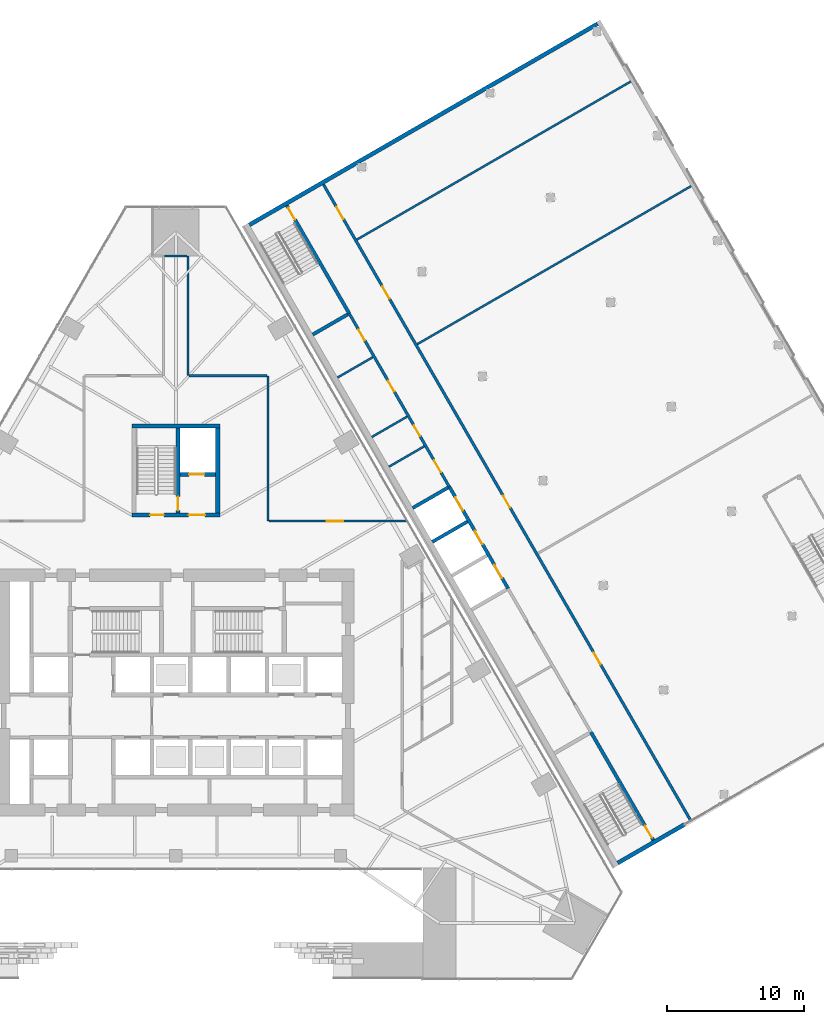
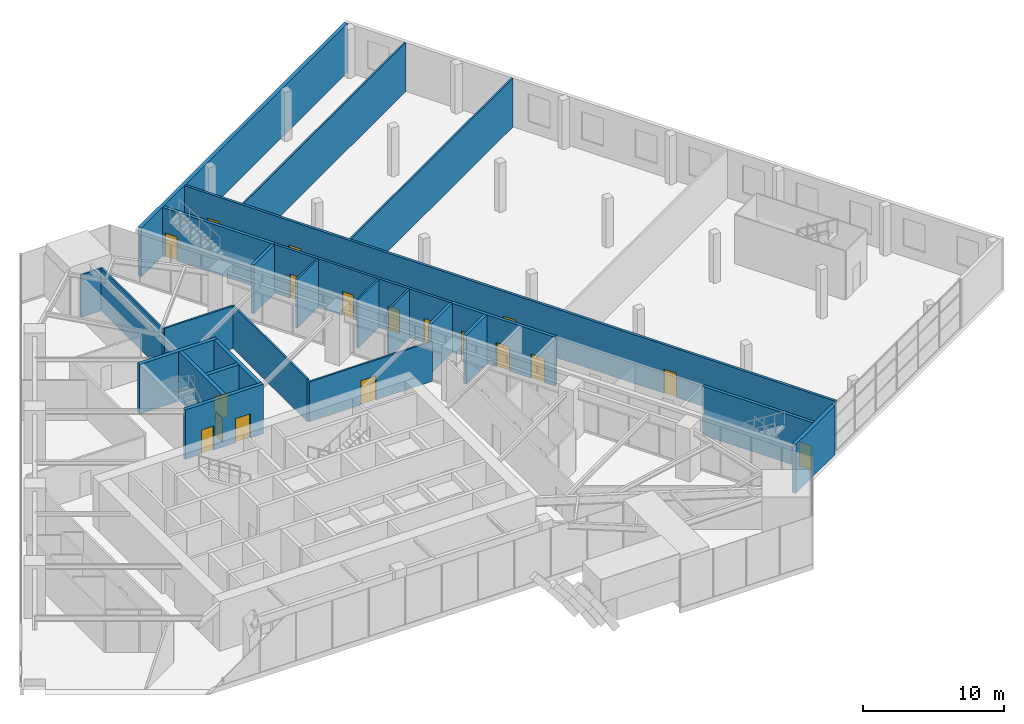
# One storey, part 20 of 29: 25 walls, 18 doors, 18 openings.
"""IFC4 building model written with IfcOpenShell, lengths in metres."""

from ifc_helpers import new_model, si_unit, direction, frame, frame_2d, origin, place, context, subcontext, project, spatial, rectangle, extrude, material, layer, layer_set, type_object, element, fill, save


model = new_model("IFC4")

# Units and contexts
model_context = context("Model", 3, precision=1e-05, world=origin(), true_north=direction((0.0, 1.0)))
body_context = subcontext(model_context, "Body", "Model", "MODEL_VIEW")
ifc_project = project(units=[si_unit("LENGTHUNIT", "METRE"), si_unit("AREAUNIT", "SQUARE_METRE"), si_unit("VOLUMEUNIT", "CUBIC_METRE"), si_unit("PLANEANGLEUNIT", "RADIAN"), si_unit("MASSUNIT", "GRAM", prefix="KILO")], contexts=[model_context])

# Site, building, storey
site_placement = place(None, origin())
site = spatial("IfcSite", under=ifc_project, at=site_placement, CompositionType="ELEMENT")
building_placement = place(site_placement, origin())
building = spatial("IfcBuilding", under=site, at=building_placement, Name="Firuza Gate Tower and Library", CompositionType="ELEMENT")
storey_placement = place(building_placement, frame((0.0, 0.0, 17.199951171875)))
storey = spatial("IfcBuildingStorey", under=building, at=storey_placement, Name="L03", CompositionType="ELEMENT", Elevation=17.199951171875)

# Wall, openings, doors
ifc_material_1 = material(Name="Concrete C80/95", Category="concrete")
ifc_layer_1 = layer(ifc_material_1, 0.300048828125)
ifc_layer_set_1 = layer_set([ifc_layer_1], Name="Core wall 300 C80/95")
wall_type_1 = type_object("IfcWallType", Name="Core wall 300 C80/95", PredefinedType="SHEAR", material=ifc_layer_set_1)
wall_1_placement = place(storey_placement, frame((71.800048828125, 87.949951171875, 0.0), z_axis=(0.0, 0.0, 1.0), x_axis=(1.0, 0.0, 0.0)))
wall_1 = element("IfcWall", 1, at=wall_1_placement, inside=storey, type_object=wall_type_1, Name="Core wall L03 34", PredefinedType="SHEAR", context=body_context, shape_type="SweptSolid", body=[
    extrude(rectangle(XDim=6.39990234375, YDim=0.300048828125, at=frame_2d((3.199951171875, 0.0))), origin(), (0.0, 0.0, 1.0), 4.300048828125),
])
opening_1_placement = place(wall_1_placement, frame((1.324951171875, 0.0, 0.0)))
opening_1 = element("IfcOpeningElement", 2, at=opening_1_placement, cuts=wall_1, Name="Opening L03-K17", PredefinedType="OPENING", context=body_context, shape_type="SweptSolid", body=[
    extrude(rectangle(XDim=1.0, YDim=2.10009765625, at=frame_2d((0.5, 1.050048828125))), frame((0.0, 0.16015625, 0.0), z_axis=(0.0, -1.0, 0.0), x_axis=(1.0, 0.0, 0.0)), (0.0, 0.0, 1.0), 0.320068359375),
])
opening_2_placement = place(wall_1_placement, frame((4.125, 0.0, 0.0)))
opening_2 = element("IfcOpeningElement", 3, at=opening_2_placement, cuts=wall_1, Name="Opening L03-K19", PredefinedType="OPENING", context=body_context, shape_type="SweptSolid", body=[
    extrude(rectangle(XDim=1.199951171875, YDim=2.10009765625, at=frame_2d((0.60009765625, 1.050048828125))), frame((0.0, 0.16015625, 0.0), z_axis=(0.0, -1.0, 0.0), x_axis=(1.0, 0.0, 0.0)), (0.0, 0.0, 1.0), 0.320068359375),
])
ifc_material_2 = material(Name="Steel", Category="steel")
door_type_1 = type_object("IfcDoorType", Name="Fire door 1000x2100 FD90", OperationType="NOTDEFINED", PredefinedType="DOOR", material=ifc_material_2)
door_1_placement = place(opening_1_placement, origin())
door_1 = element("IfcDoor", 4, at=door_1_placement, inside=storey, type_object=door_type_1, Name="Door L03-K17", OperationType="SINGLE_SWING_RIGHT", OverallHeight=2.10009765625, OverallWidth=1.0, PredefinedType="DOOR", context=body_context, shape_type="SweptSolid", body=[
    extrude(rectangle(XDim=1.0, YDim=2.10009765625, at=frame_2d((0.5, 1.050048828125))), frame((0.0, 0.02490234375, 0.0), z_axis=(0.0, -1.0, 0.0), x_axis=(1.0, 0.0, 0.0)), (0.0, 0.0, 1.0), 0.050048828125),
])
fill(opening_1, door_1)
ifc_material_3 = material(Name="Steel", Category="steel")
door_type_2 = type_object("IfcDoorType", Name="Fire door 1200x2100 FD30S", OperationType="NOTDEFINED", PredefinedType="DOOR", material=ifc_material_3)
door_2_placement = place(opening_2_placement, origin())
door_2 = element("IfcDoor", 5, at=door_2_placement, inside=storey, type_object=door_type_2, Name="Door L03-K19", OperationType="SINGLE_SWING_RIGHT", OverallHeight=2.10009765625, OverallWidth=1.199951171875, PredefinedType="DOOR", context=body_context, shape_type="SweptSolid", body=[
    extrude(rectangle(XDim=1.199951171875, YDim=2.10009765625, at=frame_2d((0.60009765625, 1.050048828125))), frame((0.0, 0.02490234375, 0.0), z_axis=(0.0, -1.0, 0.0), x_axis=(1.0, 0.0, 0.0)), (0.0, 0.0, 1.0), 0.050048828125),
])
fill(opening_2, door_2)

# Walls
wall_2_placement = place(storey_placement, frame((71.800048828125, 94.449951171875, 0.0), z_axis=(0.0, 0.0, 1.0), x_axis=(1.0, 0.0, 0.0)))
element("IfcWall", 6, at=wall_2_placement, inside=storey, type_object=wall_type_1, Name="Core wall L03 35", PredefinedType="SHEAR", context=body_context, shape_type="SweptSolid", body=[
    extrude(rectangle(XDim=6.39990234375, YDim=0.300048828125, at=frame_2d((3.199951171875, 0.0))), origin(), (0.0, 0.0, 1.0), 4.300048828125),
])
wall_3_placement = place(storey_placement, frame((78.050048828125, 88.10009765625, 0.0), z_axis=(0.0, 0.0, 1.0), x_axis=(0.0, 1.0, 0.0)))
element("IfcWall", 7, at=wall_3_placement, inside=storey, type_object=wall_type_1, Name="Core wall L03 37", PredefinedType="SHEAR", context=body_context, shape_type="SweptSolid", body=[
    extrude(rectangle(XDim=6.199951171875, YDim=0.300048828125, at=frame_2d((3.10009765625, 0.0))), origin(), (0.0, 0.0, 1.0), 4.300048828125),
])

# Wall, opening, door
wall_4_placement = place(storey_placement, frame((75.300048828125, 90.89990234375, 0.0), z_axis=(0.0, 0.0, 1.0), x_axis=(1.0, 0.0, 0.0)))
wall_4 = element("IfcWall", 8, at=wall_4_placement, inside=storey, type_object=wall_type_1, Name="Core wall L03 38", PredefinedType="SHEAR", context=body_context, shape_type="SweptSolid", body=[
    extrude(rectangle(XDim=2.599853515625, YDim=0.300048828125, at=frame_2d((1.2998046875, 0.0))), origin(), (0.0, 0.0, 1.0), 4.300048828125),
])
opening_3_placement = place(wall_4_placement, frame((0.675048828125, 0.0, 0.0)))
opening_3 = element("IfcOpeningElement", 9, at=opening_3_placement, cuts=wall_4, Name="Opening LD-SV1-L03", PredefinedType="OPENING", context=body_context, shape_type="SweptSolid", body=[
    extrude(rectangle(XDim=1.10009765625, YDim=2.10009765625, at=frame_2d((0.550048828125, 1.050048828125))), frame((0.0, 0.16015625, 0.0), z_axis=(0.0, -1.0, 0.0), x_axis=(1.0, 0.0, 0.0)), (0.0, 0.0, 1.0), 0.320068359375),
])
ifc_material_4 = material(Name="Stainless steel", Category="steel")
door_type_3 = type_object("IfcDoorType", Name="Lift landing door 1100x2100", OperationType="DOUBLE_DOOR_SLIDING", PredefinedType="DOOR", material=ifc_material_4)
door_3_placement = place(opening_3_placement, origin())
door_3 = element("IfcDoor", 10, at=door_3_placement, inside=storey, type_object=door_type_3, Name="Landing door SV1 L03", OperationType="DOUBLE_DOOR_SLIDING", OverallHeight=2.10009765625, OverallWidth=1.10009765625, PredefinedType="DOOR", context=body_context, shape_type="SweptSolid", body=[
    extrude(rectangle(XDim=1.10009765625, YDim=2.10009765625, at=frame_2d((0.550048828125, 1.050048828125))), frame((0.0, 0.02490234375, 0.0), z_axis=(0.0, -1.0, 0.0), x_axis=(1.0, 0.0, 0.0)), (0.0, 0.0, 1.0), 0.050048828125),
])
fill(opening_3, door_3)

wall_5_placement = place(storey_placement, frame((75.14990234375, 88.10009765625, 0.0), z_axis=(0.0, 0.0, 1.0), x_axis=(0.0, 1.0, 0.0)))
wall_5 = element("IfcWall", 11, at=wall_5_placement, inside=storey, type_object=wall_type_1, Name="Core wall L03 39", PredefinedType="SHEAR", context=body_context, shape_type="SweptSolid", body=[
    extrude(rectangle(XDim=6.199951171875, YDim=0.300048828125, at=frame_2d((3.10009765625, 0.0))), origin(), (0.0, 0.0, 1.0), 4.300048828125),
])
opening_4_placement = place(wall_5_placement, frame((0.18505859375, 0.0, 0.0)))
opening_4 = element("IfcOpeningElement", 12, at=opening_4_placement, cuts=wall_5, Name="Opening L03-K18", PredefinedType="OPENING", context=body_context, shape_type="SweptSolid", body=[
    extrude(rectangle(XDim=1.0, YDim=2.10009765625, at=frame_2d((0.5, 1.050048828125))), frame((0.0, 0.16015625, 0.0), z_axis=(0.0, -1.0, 0.0), x_axis=(1.0, 0.0, 0.0)), (0.0, 0.0, 1.0), 0.320068359375),
])
door_4_placement = place(opening_4_placement, origin())
door_4 = element("IfcDoor", 13, at=door_4_placement, inside=storey, type_object=door_type_1, Name="Door L03-K18", OperationType="SINGLE_SWING_LEFT", OverallHeight=2.10009765625, OverallWidth=1.0, PredefinedType="DOOR", context=body_context, shape_type="SweptSolid", body=[
    extrude(rectangle(XDim=1.0, YDim=2.10009765625, at=frame_2d((0.5, 1.050048828125))), frame((0.0, 0.02490234375, 0.0), z_axis=(0.0, -1.0, 0.0), x_axis=(1.0, 0.0, 0.0)), (0.0, 0.0, 1.0), 0.050048828125),
])
fill(opening_4, door_4)

ifc_material_5 = material(Name="Gypsum board partition")
ifc_layer_2 = layer(ifc_material_5, 0.14990234375)
ifc_layer_set_2 = layer_set([ifc_layer_2], Name="Corridor wall 150 double board on steel studs")
wall_type_2 = type_object("IfcWallType", Name="Corridor wall 150 double board on steel studs", PredefinedType="PARTITIONING", material=ifc_layer_set_2)
wall_6_placement = place(storey_placement, frame((81.775146484375, 87.499755859375, 0.0), z_axis=(0.0, 0.0, 1.0), x_axis=(1.0, 0.0, 0.0)))
wall_6 = element("IfcWall", 14, at=wall_6_placement, inside=storey, type_object=wall_type_2, Name="f:L03:w001", PredefinedType="PARTITIONING", context=body_context, shape_type="SweptSolid", body=[
    extrude(rectangle(XDim=10.077392578125, YDim=0.14990234375, at=frame_2d((5.03857421875, 0.0))), origin(), (0.0, 0.0, 1.0), 3.465087890625),
])
opening_5_placement = place(wall_6_placement, frame((4.23095703125, 0.0, 0.0)))
opening_5 = element("IfcOpeningElement", 15, at=opening_5_placement, cuts=wall_6, Name="Opening L03-02", PredefinedType="OPENING", context=body_context, shape_type="SweptSolid", body=[
    extrude(rectangle(XDim=1.199951171875, YDim=2.10009765625, at=frame_2d((0.60009765625, 1.050048828125))), frame((0.0, 0.0849609375, 0.0), z_axis=(0.0, -1.0, 0.0), x_axis=(1.0, 0.0, 0.0)), (0.0, 0.0, 1.0), 0.169921875),
])
ifc_material_6 = material(Name="Steel door and timber leaf", Category="steel")
door_type_4 = type_object("IfcDoorType", Name="Fire door 1200 x 2100 steel frame, double leaf", OperationType="NOTDEFINED", PredefinedType="DOOR", material=ifc_material_6)
door_5_placement = place(opening_5_placement, origin())
door_5 = element("IfcDoor", 16, at=door_5_placement, inside=storey, type_object=door_type_4, Name="f:L03:d002", OperationType="DOUBLE_DOOR_SINGLE_SWING", OverallHeight=2.10009765625, OverallWidth=1.199951171875, PredefinedType="DOOR", context=body_context, shape_type="SweptSolid", body=[
    extrude(rectangle(XDim=1.199951171875, YDim=2.10009765625, at=frame_2d((0.60009765625, 1.050048828125))), frame((0.0, 0.02490234375, 0.0), z_axis=(0.0, -1.0, 0.0), x_axis=(1.0, 0.0, 0.0)), (0.0, 0.0, 1.0), 0.050048828125),
])
fill(opening_5, door_5)

# Walls
wall_7_placement = place(storey_placement, frame((75.97509765625, 98.10009765625, 0.0), z_axis=(0.0, 0.0, 1.0), x_axis=(1.0, 0.0, 0.0)))
element("IfcWall", 17, at=wall_7_placement, inside=storey, type_object=wall_type_2, Name="f:L03:w003", PredefinedType="PARTITIONING", context=body_context, shape_type="SweptSolid", body=[
    extrude(rectangle(XDim=5.6494140625, YDim=0.14990234375, at=frame_2d((2.82470703125, 0.0))), origin(), (0.0, 0.0, 1.0), 3.699951171875),
])
wall_8_placement = place(storey_placement, frame((81.699951171875, 87.5, 0.0), z_axis=(0.0, 0.0, 1.0), x_axis=(0.0, 1.0, 0.0)))
element("IfcWall", 18, at=wall_8_placement, inside=storey, type_object=wall_type_2, Name="f:L03:w017", PredefinedType="PARTITIONING", context=body_context, shape_type="SweptSolid", body=[
    extrude(rectangle(XDim=10.599365234375, YDim=0.14990234375, at=frame_2d((5.2998046875, 0.0))), origin(), (0.0, 0.0, 1.0), 3.699951171875),
])
wall_9_placement = place(storey_placement, frame((75.89990234375, 98.10009765625, 0.0), z_axis=(0.0, 0.0, 1.0), x_axis=(0.0, 1.0, 0.0)))
element("IfcWall", 19, at=wall_9_placement, inside=storey, type_object=wall_type_2, Name="f:L03:w018", PredefinedType="PARTITIONING", context=body_context, shape_type="SweptSolid", body=[
    extrude(rectangle(XDim=8.733154296875, YDim=0.14990234375, at=frame_2d((4.36669921875, 0.0))), origin(), (0.0, 0.0, 1.0), 3.699951171875),
])
wall_10_placement = place(storey_placement, frame((74.175048828125, 106.833984375, 0.0), z_axis=(0.0, 0.0, 1.0), x_axis=(1.0, 0.0, 0.0)))
element("IfcWall", 20, at=wall_10_placement, inside=storey, type_object=wall_type_2, Name="f:L03:w035", PredefinedType="PARTITIONING", context=body_context, shape_type="SweptSolid", body=[
    extrude(rectangle(XDim=1.6494140625, YDim=0.14990234375, at=frame_2d((0.82470703125, 0.0))), origin(), (0.0, 0.0, 1.0), 3.697021484375),
])

# Wall, openings, doors
ifc_material_7 = material(Name="Masonry block", Category="masonry")
ifc_layer_3 = layer(ifc_material_7, 0.199951171875)
ifc_layer_set_3 = layer_set([ifc_layer_3], Name="LIB CORRIDOR WALL 200")
wall_type_3 = type_object("IfcWallType", Name="LIB CORRIDOR WALL 200", PredefinedType="PARTITIONING", material=ifc_layer_set_3)
wall_11_placement = place(storey_placement, frame((94.929931640625, 89.99951171875, 0.0), z_axis=(0.0, 0.0, 1.0), x_axis=(-0.499997667785, 0.866026750285, 0.0)))
wall_11 = element("IfcWall", 21, at=wall_11_placement, inside=storey, type_object=wall_type_3, Name="L03 corr wall 7", PredefinedType="PARTITIONING", context=body_context, shape_type="SweptSolid", body=[
    extrude(rectangle(XDim=14.58984375, YDim=0.199951171875, at=frame_2d((7.294921875, 0.0))), origin(), (0.0, 0.0, 1.0), 4.239990234375),
])
opening_6_placement = place(wall_11_placement, frame((1.235107421875, 0.0, 0.0)))
opening_6 = element("IfcOpeningElement", 22, at=opening_6_placement, cuts=wall_11, Name="Opening LIB-D2-001", PredefinedType="OPENING", context=body_context, shape_type="SweptSolid", body=[
    extrude(rectangle(XDim=1.0, YDim=2.10009765625, at=frame_2d((0.5, 1.050048828125))), frame((0.0, 0.10986328125, 0.0), z_axis=(0.0, -1.0, 0.0), x_axis=(1.0, 0.0, 0.0)), (0.0, 0.0, 1.0), 0.219970703125),
])
opening_7_placement = place(wall_11_placement, frame((4.27490234375, 0.0, 0.0)))
opening_7 = element("IfcOpeningElement", 23, at=opening_7_placement, cuts=wall_11, Name="Opening LIB-D1-003", PredefinedType="OPENING", context=body_context, shape_type="SweptSolid", body=[
    extrude(rectangle(XDim=0.89990234375, YDim=2.10009765625, at=frame_2d((0.449951171875, 1.050048828125))), frame((0.0, 0.10986328125, 0.0), z_axis=(0.0, -1.0, 0.0), x_axis=(1.0, 0.0, 0.0)), (0.0, 0.0, 1.0), 0.219970703125),
])
opening_8_placement = place(wall_11_placement, frame((8.02490234375, 0.0, 0.0)))
opening_8 = element("IfcOpeningElement", 24, at=opening_8_placement, cuts=wall_11, Name="Opening LIB-D1-004", PredefinedType="OPENING", context=body_context, shape_type="SweptSolid", body=[
    extrude(rectangle(XDim=0.89990234375, YDim=2.10009765625, at=frame_2d((0.449951171875, 1.050048828125))), frame((0.0, 0.10986328125, 0.0), z_axis=(0.0, -1.0, 0.0), x_axis=(1.0, 0.0, 0.0)), (0.0, 0.0, 1.0), 0.219970703125),
])
opening_9_placement = place(wall_11_placement, frame((12.324951171875, 0.0, 0.0)))
opening_9 = element("IfcOpeningElement", 25, at=opening_9_placement, cuts=wall_11, Name="Opening LIB-D1-005", PredefinedType="OPENING", context=body_context, shape_type="SweptSolid", body=[
    extrude(rectangle(XDim=0.89990234375, YDim=2.10009765625, at=frame_2d((0.449951171875, 1.050048828125))), frame((0.0, 0.10986328125, 0.0), z_axis=(0.0, -1.0, 0.0), x_axis=(1.0, 0.0, 0.0)), (0.0, 0.0, 1.0), 0.219970703125),
])
ifc_material_8 = material(Name="Timber door leaf", Category="wood")
door_type_5 = type_object("IfcDoorType", Name="LIB DOOR 1000", OperationType="NOTDEFINED", PredefinedType="DOOR", material=ifc_material_8)
door_6_placement = place(opening_6_placement, origin())
door_6 = element("IfcDoor", 26, at=door_6_placement, inside=storey, type_object=door_type_5, Name="L03 door 5", OperationType="SINGLE_SWING_LEFT", OverallHeight=2.10009765625, OverallWidth=1.0, PredefinedType="DOOR", context=body_context, shape_type="SweptSolid", body=[
    extrude(rectangle(XDim=1.0, YDim=2.10009765625, at=frame_2d((0.5, 1.050048828125))), frame((0.0, 0.02490234375, 0.0), z_axis=(0.0, -1.0, 0.0), x_axis=(1.0, 0.0, 0.0)), (0.0, 0.0, 1.0), 0.050048828125),
])
fill(opening_6, door_6)
ifc_material_9 = material(Name="Timber door leaf", Category="wood")
door_type_6 = type_object("IfcDoorType", Name="LIB DOOR 900", OperationType="NOTDEFINED", PredefinedType="DOOR", material=ifc_material_9)
door_7_placement = place(opening_7_placement, origin())
door_7 = element("IfcDoor", 27, at=door_7_placement, inside=storey, type_object=door_type_6, Name="L03 door 6", OperationType="SINGLE_SWING_RIGHT", OverallHeight=2.10009765625, OverallWidth=0.89990234375, PredefinedType="DOOR", context=body_context, shape_type="SweptSolid", body=[
    extrude(rectangle(XDim=0.89990234375, YDim=2.10009765625, at=frame_2d((0.449951171875, 1.050048828125))), frame((0.0, 0.02490234375, 0.0), z_axis=(0.0, -1.0, 0.0), x_axis=(1.0, 0.0, 0.0)), (0.0, 0.0, 1.0), 0.050048828125),
])
fill(opening_7, door_7)
door_8_placement = place(opening_8_placement, origin())
door_8 = element("IfcDoor", 28, at=door_8_placement, inside=storey, type_object=door_type_6, Name="L03 door 10", OperationType="SINGLE_SWING_RIGHT", OverallHeight=2.10009765625, OverallWidth=0.89990234375, PredefinedType="DOOR", context=body_context, shape_type="SweptSolid", body=[
    extrude(rectangle(XDim=0.89990234375, YDim=2.10009765625, at=frame_2d((0.449951171875, 1.050048828125))), frame((0.0, 0.02490234375, 0.0), z_axis=(0.0, -1.0, 0.0), x_axis=(1.0, 0.0, 0.0)), (0.0, 0.0, 1.0), 0.050048828125),
])
fill(opening_8, door_8)
door_9_placement = place(opening_9_placement, origin())
door_9 = element("IfcDoor", 29, at=door_9_placement, inside=storey, type_object=door_type_6, Name="L03 door 11", OperationType="SINGLE_SWING_LEFT", OverallHeight=2.10009765625, OverallWidth=0.89990234375, PredefinedType="DOOR", context=body_context, shape_type="SweptSolid", body=[
    extrude(rectangle(XDim=0.89990234375, YDim=2.10009765625, at=frame_2d((0.449951171875, 1.050048828125))), frame((0.0, 0.02490234375, 0.0), z_axis=(0.0, -1.0, 0.0), x_axis=(1.0, 0.0, 0.0)), (0.0, 0.0, 1.0), 0.050048828125),
])
fill(opening_9, door_9)

wall_12_placement = place(storey_placement, frame((112.49560546875, 65.72509765625, 0.0), z_axis=(0.0, 0.0, 1.0), x_axis=(-0.499998673217, 0.866026169802, 0.0)))
wall_12 = element("IfcWall", 30, at=wall_12_placement, inside=storey, type_object=wall_type_3, Name="L03 corr wall 16", PredefinedType="PARTITIONING", context=body_context, shape_type="SweptSolid", body=[
    extrude(rectangle(XDim=53.480224609375, YDim=0.199951171875, at=frame_2d((26.740234375, 0.0))), origin(), (0.0, 0.0, 1.0), 4.239990234375),
])
opening_10_placement = place(wall_12_placement, frame((13.080078125, 0.0, 0.0)))
opening_10 = element("IfcOpeningElement", 31, at=opening_10_placement, cuts=wall_12, Name="Opening LIB-D2-003", PredefinedType="OPENING", context=body_context, shape_type="SweptSolid", body=[
    extrude(rectangle(XDim=1.0, YDim=2.10009765625, at=frame_2d((0.5, 1.050048828125))), frame((0.0, 0.10986328125, 0.0), z_axis=(0.0, -1.0, 0.0), x_axis=(1.0, 0.0, 0.0)), (0.0, 0.0, 1.0), 0.219970703125),
])
opening_11_placement = place(wall_12_placement, frame((26.280029296875, 0.0, 0.0)))
opening_11 = element("IfcOpeningElement", 32, at=opening_11_placement, cuts=wall_12, Name="Opening LIB-D2-004", PredefinedType="OPENING", context=body_context, shape_type="SweptSolid", body=[
    extrude(rectangle(XDim=1.0, YDim=2.10009765625, at=frame_2d((0.5, 1.050048828125))), frame((0.0, 0.10986328125, 0.0), z_axis=(0.0, -1.0, 0.0), x_axis=(1.0, 0.0, 0.0)), (0.0, 0.0, 1.0), 0.219970703125),
])
opening_12_placement = place(wall_12_placement, frame((43.8798828125, 0.0, 0.0)))
opening_12 = element("IfcOpeningElement", 33, at=opening_12_placement, cuts=wall_12, Name="Opening LIB-D2-005", PredefinedType="OPENING", context=body_context, shape_type="SweptSolid", body=[
    extrude(rectangle(XDim=1.0, YDim=2.10009765625, at=frame_2d((0.5, 1.050048828125))), frame((0.0, 0.10986328125, 0.0), z_axis=(0.0, -1.0, 0.0), x_axis=(1.0, 0.0, 0.0)), (0.0, 0.0, 1.0), 0.219970703125),
])
opening_13_placement = place(wall_12_placement, frame((50.580078125, 0.0, 0.0)))
opening_13 = element("IfcOpeningElement", 34, at=opening_13_placement, cuts=wall_12, Name="Opening LIB-D2-006", PredefinedType="OPENING", context=body_context, shape_type="SweptSolid", body=[
    extrude(rectangle(XDim=1.0, YDim=2.10009765625, at=frame_2d((0.5, 1.050048828125))), frame((0.0, 0.10986328125, 0.0), z_axis=(0.0, -1.0, 0.0), x_axis=(1.0, 0.0, 0.0)), (0.0, 0.0, 1.0), 0.219970703125),
])
door_10_placement = place(opening_10_placement, origin())
door_10 = element("IfcDoor", 35, at=door_10_placement, inside=storey, type_object=door_type_5, Name="L03 door 13", OperationType="SINGLE_SWING_LEFT", OverallHeight=2.10009765625, OverallWidth=1.0, PredefinedType="DOOR", context=body_context, shape_type="SweptSolid", body=[
    extrude(rectangle(XDim=1.0, YDim=2.10009765625, at=frame_2d((0.5, 1.050048828125))), frame((0.0, 0.02490234375, 0.0), z_axis=(0.0, -1.0, 0.0), x_axis=(1.0, 0.0, 0.0)), (0.0, 0.0, 1.0), 0.050048828125),
])
fill(opening_10, door_10)
door_11_placement = place(opening_11_placement, origin())
door_11 = element("IfcDoor", 36, at=door_11_placement, inside=storey, type_object=door_type_5, Name="L03 door 14", OperationType="SINGLE_SWING_RIGHT", OverallHeight=2.10009765625, OverallWidth=1.0, PredefinedType="DOOR", context=body_context, shape_type="SweptSolid", body=[
    extrude(rectangle(XDim=1.0, YDim=2.10009765625, at=frame_2d((0.5, 1.050048828125))), frame((0.0, 0.02490234375, 0.0), z_axis=(0.0, -1.0, 0.0), x_axis=(1.0, 0.0, 0.0)), (0.0, 0.0, 1.0), 0.050048828125),
])
fill(opening_11, door_11)
door_12_placement = place(opening_12_placement, origin())
door_12 = element("IfcDoor", 37, at=door_12_placement, inside=storey, type_object=door_type_5, Name="L03 door 15", OperationType="SINGLE_SWING_LEFT", OverallHeight=2.10009765625, OverallWidth=1.0, PredefinedType="DOOR", context=body_context, shape_type="SweptSolid", body=[
    extrude(rectangle(XDim=1.0, YDim=2.10009765625, at=frame_2d((0.5, 1.050048828125))), frame((0.0, 0.02490234375, 0.0), z_axis=(0.0, -1.0, 0.0), x_axis=(1.0, 0.0, 0.0)), (0.0, 0.0, 1.0), 0.050048828125),
])
fill(opening_12, door_12)
door_13_placement = place(opening_13_placement, origin())
door_13 = element("IfcDoor", 38, at=door_13_placement, inside=storey, type_object=door_type_5, Name="L03 door 16", OperationType="SINGLE_SWING_RIGHT", OverallHeight=2.10009765625, OverallWidth=1.0, PredefinedType="DOOR", context=body_context, shape_type="SweptSolid", body=[
    extrude(rectangle(XDim=1.0, YDim=2.10009765625, at=frame_2d((0.5, 1.050048828125))), frame((0.0, 0.02490234375, 0.0), z_axis=(0.0, -1.0, 0.0), x_axis=(1.0, 0.0, 0.0)), (0.0, 0.0, 1.0), 0.050048828125),
])
fill(opening_13, door_13)

# Walls
ifc_material_10 = material(Name="Concrete C30/37", Category="concrete")
ifc_layer_4 = layer(ifc_material_10, 0.300048828125)
ifc_layer_set_4 = layer_set([ifc_layer_4], Name="LIB EXTERNAL WALL 300")
wall_type_4 = type_object("IfcWallType", Name="LIB EXTERNAL WALL 300", PredefinedType="SOLIDWALL", material=ifc_layer_set_4)
wall_13_placement = place(storey_placement, frame((107.204345703125, 62.589599609375, 0.0), z_axis=(0.0, 0.0, 1.0), x_axis=(0.866045472092, 0.499965239061, 0.0)))
element("IfcWall", 39, at=wall_13_placement, inside=storey, type_object=wall_type_4, Name="L03 south wall S1", PredefinedType="SOLIDWALL", context=body_context, shape_type="SweptSolid", body=[
    extrude(rectangle(XDim=5.60009765625, YDim=0.300048828125, at=frame_2d((2.800048828125, 0.0))), origin(), (0.0, 0.0, 1.0), 4.239990234375),
])
wall_14_placement = place(storey_placement, frame((80.3544921875, 109.09521484375, 0.0), z_axis=(0.0, 0.0, 1.0), x_axis=(0.866026568746, 0.499997982221, 0.0)))
element("IfcWall", 40, at=wall_14_placement, inside=storey, type_object=wall_type_4, Name="L03 north wall", PredefinedType="SOLIDWALL", context=body_context, shape_type="SweptSolid", body=[
    extrude(rectangle(XDim=29.2998046875, YDim=0.300048828125, at=frame_2d((14.64990234375, 0.0))), origin(), (0.0, 0.0, 1.0), 4.239990234375),
])
ifc_material_11 = material(Name="Gypsum board on steel studs", Category="steel")
ifc_layer_5 = layer(ifc_material_11, 0.14990234375)
ifc_layer_set_5 = layer_set([ifc_layer_5], Name="LIB PARTITION 150")
wall_type_5 = type_object("IfcWallType", Name="LIB PARTITION 150", PredefinedType="PARTITIONING", material=ifc_layer_set_5)
for number, where, z_axis, x_axis, name in (
    (41, (90.529296875, 91.471435546875, 0.0), (0.0, 0.0, 1.0), (0.866017493347, 0.500013701029, 0.0), "L03 part wall 12"),
    (42, (89.279296875, 93.636474609375, 0.0), (0.0, 0.0, 1.0), (0.866017493347, 0.500013701029, 0.0), "L03 part wall 13"),
):
    element("IfcWall", number, at=place(storey_placement, frame(where, z_axis=z_axis, x_axis=x_axis)), inside=storey, type_object=wall_type_5, Name=name, PredefinedType="PARTITIONING", context=body_context, shape_type="SweptSolid", body=[
        extrude(rectangle(XDim=2.97509765625, YDim=0.14990234375, at=frame_2d((1.487548828125, 0.0))), origin(), (0.0, 0.0, 1.0), 4.239990234375),
    ])
wall_15_placement = place(storey_placement, frame((86.779296875, 97.966796875, 0.0), z_axis=(0.0, 0.0, 1.0), x_axis=(0.866053027861, 0.499952150643, 0.0)))
element("IfcWall", 43, at=wall_15_placement, inside=storey, type_object=wall_type_5, Name="L03 part wall 14", PredefinedType="PARTITIONING", context=body_context, shape_type="SweptSolid", body=[
    extrude(rectangle(XDim=2.974853515625, YDim=0.14990234375, at=frame_2d((1.4873046875, 0.0))), origin(), (0.0, 0.0, 1.0), 4.239990234375),
])
for number, where, z_axis, x_axis, name in (
    (44, (92.592041015625, 100.398681640625, 0.0), (0.0, 0.0, 1.0), (0.866022961126, 0.500004230785, 0.0), "L03 part wall 22"),
    (45, (88.192138671875, 108.02001953125, 0.0), (0.0, 0.0, 1.0), (0.866027547497, 0.499996286962, 0.0), "L03 part wall 23"),
):
    element("IfcWall", number, at=place(storey_placement, frame(where, z_axis=z_axis, x_axis=x_axis)), inside=storey, type_object=wall_type_5, Name=name, PredefinedType="PARTITIONING", context=body_context, shape_type="SweptSolid", body=[
        extrude(rectangle(XDim=23.050048828125, YDim=0.14990234375, at=frame_2d((11.52490234375, 0.0))), origin(), (0.0, 0.0, 1.0), 4.239990234375),
    ])

# Wall, opening, door
ifc_material_12 = material(Name="Concrete C40/50", Category="concrete")
ifc_layer_6 = layer(ifc_material_12, 0.25)
ifc_layer_set_6 = layer_set([ifc_layer_6], Name="LIB SHAFT WALL 250")
wall_type_6 = type_object("IfcWallType", Name="LIB SHAFT WALL 250", PredefinedType="SOLIDWALL", material=ifc_layer_set_6)
wall_16_placement = place(storey_placement, frame((109.79248046875, 64.2568359375, 0.0), z_axis=(0.0, 0.0, 1.0), x_axis=(-0.499994616197, 0.866028512102, 0.0)))
wall_16 = element("IfcWall", 46, at=wall_16_placement, inside=storey, type_object=wall_type_6, Name="L03 shaft wall 2", PredefinedType="SOLIDWALL", context=body_context, shape_type="SweptSolid", body=[
    extrude(rectangle(XDim=9.0849609375, YDim=0.25, at=frame_2d((4.54248046875, 0.0))), origin(), (0.0, 0.0, 1.0), 4.239990234375),
])
opening_14_placement = place(wall_16_placement, frame((0.199951171875, 0.0, 0.0)))
opening_14 = element("IfcOpeningElement", 47, at=opening_14_placement, cuts=wall_16, Name="Opening LIB-D4-001", PredefinedType="OPENING", context=body_context, shape_type="SweptSolid", body=[
    extrude(rectangle(XDim=1.0, YDim=2.10009765625, at=frame_2d((0.5, 1.050048828125))), frame((0.0, 0.135009765625, 0.0), z_axis=(0.0, -1.0, 0.0), x_axis=(1.0, 0.0, 0.0)), (0.0, 0.0, 1.0), 0.27001953125),
])
ifc_material_13 = material(Name="Steel S235 door leaf", Category="steel")
door_type_7 = type_object("IfcDoorType", Name="LIB FIRE DOOR 1000", OperationType="NOTDEFINED", PredefinedType="DOOR", material=ifc_material_13)
door_14_placement = place(opening_14_placement, origin())
door_14 = element("IfcDoor", 48, at=door_14_placement, inside=storey, type_object=door_type_7, Name="L03 door 1", OperationType="SINGLE_SWING_LEFT", OverallHeight=2.10009765625, OverallWidth=1.0, PredefinedType="DOOR", context=body_context, shape_type="SweptSolid", body=[
    extrude(rectangle(XDim=1.0, YDim=2.10009765625, at=frame_2d((0.5, 1.050048828125))), frame((0.0, 0.02490234375, 0.0), z_axis=(0.0, -1.0, 0.0), x_axis=(1.0, 0.0, 0.0)), (0.0, 0.0, 1.0), 0.050048828125),
])
fill(opening_14, door_14)

# Wall, openings, doors
wall_17_placement = place(storey_placement, frame((99.205078125, 82.594970703125, 0.0), z_axis=(0.0, 0.0, 1.0), x_axis=(-0.500011643316, 0.866018681408, 0.0)))
wall_17 = element("IfcWall", 49, at=wall_17_placement, inside=storey, type_object=wall_type_6, Name="L03 shaft wall 3", PredefinedType="SOLIDWALL", context=body_context, shape_type="SweptSolid", body=[
    extrude(rectangle(XDim=8.550048828125, YDim=0.25, at=frame_2d((4.27490234375, 0.0))), origin(), (0.0, 0.0, 1.0), 4.239990234375),
])
opening_15_placement = place(wall_17_placement, frame((0.875, 0.0, 0.0)))
opening_15 = element("IfcOpeningElement", 50, at=opening_15_placement, cuts=wall_17, Name="Opening LIB-LD1-001", PredefinedType="OPENING", context=body_context, shape_type="SweptSolid", body=[
    extrude(rectangle(XDim=1.10009765625, YDim=2.10009765625, at=frame_2d((0.550048828125, 1.050048828125))), frame((0.0, 0.135009765625, 0.0), z_axis=(0.0, -1.0, 0.0), x_axis=(1.0, 0.0, 0.0)), (0.0, 0.0, 1.0), 0.27001953125),
])
opening_16_placement = place(wall_17_placement, frame((3.72509765625, 0.0, 0.0)))
opening_16 = element("IfcOpeningElement", 51, at=opening_16_placement, cuts=wall_17, Name="Opening LIB-LD1-002", PredefinedType="OPENING", context=body_context, shape_type="SweptSolid", body=[
    extrude(rectangle(XDim=1.10009765625, YDim=2.10009765625, at=frame_2d((0.550048828125, 1.050048828125))), frame((0.0, 0.135009765625, 0.0), z_axis=(0.0, -1.0, 0.0), x_axis=(1.0, 0.0, 0.0)), (0.0, 0.0, 1.0), 0.27001953125),
])
opening_17_placement = place(wall_17_placement, frame((6.574951171875, 0.0, 0.0)))
opening_17 = element("IfcOpeningElement", 52, at=opening_17_placement, cuts=wall_17, Name="Opening LIB-LD1-003", PredefinedType="OPENING", context=body_context, shape_type="SweptSolid", body=[
    extrude(rectangle(XDim=1.10009765625, YDim=2.10009765625, at=frame_2d((0.550048828125, 1.050048828125))), frame((0.0, 0.135009765625, 0.0), z_axis=(0.0, -1.0, 0.0), x_axis=(1.0, 0.0, 0.0)), (0.0, 0.0, 1.0), 0.27001953125),
])
ifc_material_14 = material(Name="Stainless steel 316", Category="steel")
door_type_8 = type_object("IfcDoorType", Name="LIB LANDING DOOR 1100", OperationType="DOUBLE_DOOR_SLIDING", PredefinedType="DOOR", material=ifc_material_14)
door_15_placement = place(opening_15_placement, origin())
door_15 = element("IfcDoor", 53, at=door_15_placement, inside=storey, type_object=door_type_8, Name="L03 door 7", OperationType="DOUBLE_DOOR_SLIDING", OverallHeight=2.10009765625, OverallWidth=1.10009765625, PredefinedType="DOOR", context=body_context, shape_type="SweptSolid", body=[
    extrude(rectangle(XDim=1.10009765625, YDim=2.10009765625, at=frame_2d((0.550048828125, 1.050048828125))), frame((0.0, 0.02490234375, 0.0), z_axis=(0.0, -1.0, 0.0), x_axis=(1.0, 0.0, 0.0)), (0.0, 0.0, 1.0), 0.050048828125),
])
fill(opening_15, door_15)
door_16_placement = place(opening_16_placement, origin())
door_16 = element("IfcDoor", 54, at=door_16_placement, inside=storey, type_object=door_type_8, Name="L03 door 8", OperationType="DOUBLE_DOOR_SLIDING", OverallHeight=2.10009765625, OverallWidth=1.10009765625, PredefinedType="DOOR", context=body_context, shape_type="SweptSolid", body=[
    extrude(rectangle(XDim=1.10009765625, YDim=2.10009765625, at=frame_2d((0.550048828125, 1.050048828125))), frame((0.0, 0.02490234375, 0.0), z_axis=(0.0, -1.0, 0.0), x_axis=(1.0, 0.0, 0.0)), (0.0, 0.0, 1.0), 0.050048828125),
])
fill(opening_16, door_16)
door_17_placement = place(opening_17_placement, origin())
door_17 = element("IfcDoor", 55, at=door_17_placement, inside=storey, type_object=door_type_8, Name="L03 door 9", OperationType="DOUBLE_DOOR_SLIDING", OverallHeight=2.10009765625, OverallWidth=1.10009765625, PredefinedType="DOOR", context=body_context, shape_type="SweptSolid", body=[
    extrude(rectangle(XDim=1.10009765625, YDim=2.10009765625, at=frame_2d((0.550048828125, 1.050048828125))), frame((0.0, 0.02490234375, 0.0), z_axis=(0.0, -1.0, 0.0), x_axis=(1.0, 0.0, 0.0)), (0.0, 0.0, 1.0), 0.050048828125),
])
fill(opening_17, door_17)

# Wall, opening, door
wall_18_placement = place(storey_placement, frame((87.635009765625, 102.634765625, 0.0), z_axis=(0.0, 0.0, 1.0), x_axis=(-0.499994616197, 0.866028512102, 0.0)))
wall_18 = element("IfcWall", 56, at=wall_18_placement, inside=storey, type_object=wall_type_6, Name="L03 shaft wall 4", PredefinedType="SOLIDWALL", context=body_context, shape_type="SweptSolid", body=[
    extrude(rectangle(XDim=9.0849609375, YDim=0.25, at=frame_2d((4.54248046875, 0.0))), origin(), (0.0, 0.0, 1.0), 4.239990234375),
])
opening_18_placement = place(wall_18_placement, frame((7.885009765625, 0.0, 0.0)))
opening_18 = element("IfcOpeningElement", 57, at=opening_18_placement, cuts=wall_18, Name="Opening LIB-D4-002", PredefinedType="OPENING", context=body_context, shape_type="SweptSolid", body=[
    extrude(rectangle(XDim=1.0, YDim=2.10009765625, at=frame_2d((0.5, 1.050048828125))), frame((0.0, 0.135009765625, 0.0), z_axis=(0.0, -1.0, 0.0), x_axis=(1.0, 0.0, 0.0)), (0.0, 0.0, 1.0), 0.27001953125),
])
door_18_placement = place(opening_18_placement, origin())
door_18 = element("IfcDoor", 58, at=door_18_placement, inside=storey, type_object=door_type_7, Name="L03 door 2", OperationType="SINGLE_SWING_RIGHT", OverallHeight=2.10009765625, OverallWidth=1.0, PredefinedType="DOOR", context=body_context, shape_type="SweptSolid", body=[
    extrude(rectangle(XDim=1.0, YDim=2.10009765625, at=frame_2d((0.5, 1.050048828125))), frame((0.0, 0.02490234375, 0.0), z_axis=(0.0, -1.0, 0.0), x_axis=(1.0, 0.0, 0.0)), (0.0, 0.0, 1.0), 0.050048828125),
])
fill(opening_18, door_18)

# Walls
wall_19_placement = place(storey_placement, frame((93.69189453125, 85.993896484375, 0.0), z_axis=(0.0, 0.0, 1.0), x_axis=(0.866003658127, 0.500037662692, 0.0)))
element("IfcWall", 59, at=wall_19_placement, inside=storey, type_object=wall_type_6, Name="L03 shaft wall 10", PredefinedType="SOLIDWALL", context=body_context, shape_type="SweptSolid", body=[
    extrude(rectangle(XDim=2.949951171875, YDim=0.25, at=frame_2d((1.47509765625, 0.0))), origin(), (0.0, 0.0, 1.0), 4.239990234375),
])
wall_20_placement = place(storey_placement, frame((92.266845703125, 88.4619140625, 0.0), z_axis=(0.0, 0.0, 1.0), x_axis=(0.866024349092, 0.500001826776, 0.0)))
element("IfcWall", 60, at=wall_20_placement, inside=storey, type_object=wall_type_6, Name="L03 shaft wall 11", PredefinedType="SOLIDWALL", context=body_context, shape_type="SweptSolid", body=[
    extrude(rectangle(XDim=2.9501953125, YDim=0.25, at=frame_2d((1.47509765625, 0.0))), origin(), (0.0, 0.0, 1.0), 4.239990234375),
])
wall_21_placement = place(storey_placement, frame((84.971923828125, 101.097412109375, 0.0), z_axis=(0.0, 0.0, 1.0), x_axis=(0.866039495442, 0.49997559174, 0.0)))
element("IfcWall", 61, at=wall_21_placement, inside=storey, type_object=wall_type_6, Name="L03 shaft wall 15", PredefinedType="SOLIDWALL", context=body_context, shape_type="SweptSolid", body=[
    extrude(rectangle(XDim=2.949951171875, YDim=0.25, at=frame_2d((1.47509765625, 0.0))), origin(), (0.0, 0.0, 1.0), 4.239990234375),
])

save(model, "model.ifc")
